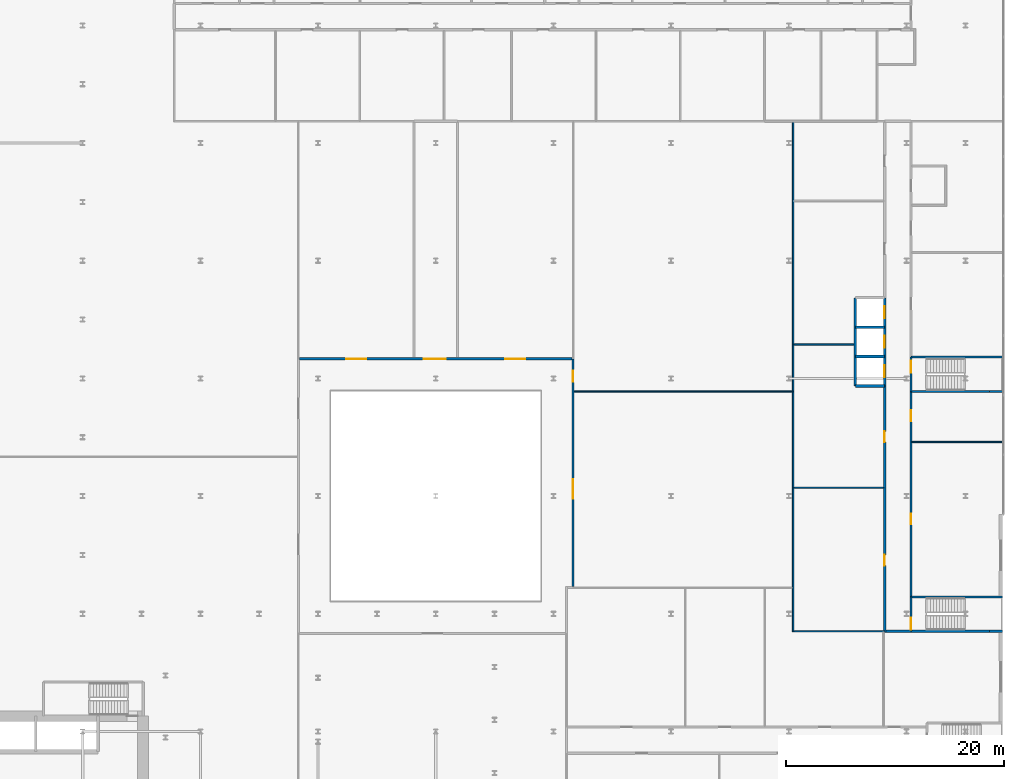
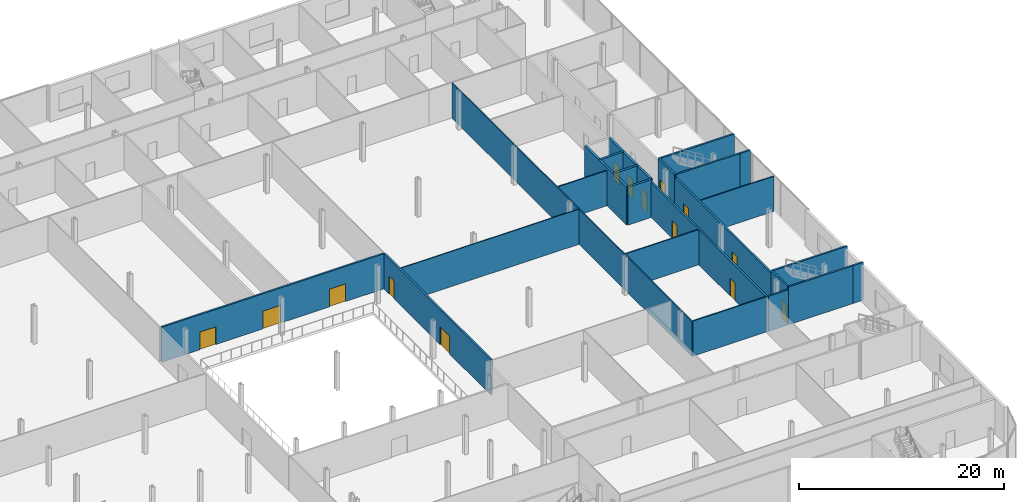
# One storey, part 33 of 47: 24 walls, 14 doors, 14 openings.
"""IFC4 building model written with IfcOpenShell, lengths in metres."""

from ifc_helpers import new_model, si_unit, direction, frame, frame_2d, origin, place, context, subcontext, project, spatial, rectangle, extrude, source, transform, mapped, material, layer, layer_set, type_object, element, fill, save


model = new_model("IFC4")

# Units and contexts
model_context = context("Model", 3, precision=1e-05, world=origin(), true_north=direction((0.0, 1.0)))
body_context = subcontext(model_context, "Body", "Model", "MODEL_VIEW")
ifc_project = project(units=[si_unit("LENGTHUNIT", "METRE"), si_unit("AREAUNIT", "SQUARE_METRE"), si_unit("VOLUMEUNIT", "CUBIC_METRE"), si_unit("PLANEANGLEUNIT", "RADIAN"), si_unit("MASSUNIT", "GRAM", prefix="KILO")], contexts=[model_context])

# Site, building, storey
site_placement = place(None, origin())
site = spatial("IfcSite", under=ifc_project, at=site_placement, CompositionType="ELEMENT")
building_placement = place(site_placement, origin())
building = spatial("IfcBuilding", under=site, at=building_placement, Name="Kheshtan School and Residences Tower", CompositionType="ELEMENT")
storey_placement = place(building_placement, frame((0.0, 0.0, 12.5)))
storey = spatial("IfcBuildingStorey", under=building, at=storey_placement, Name="L02", CompositionType="ELEMENT", Elevation=12.5)

# Walls
ifc_material_1 = material(Name="Gypsum board on steel studs with mineral wool", Category="steel")
ifc_layer_1 = layer(ifc_material_1, 0.125)
ifc_layer_set_1 = layer_set([ifc_layer_1], Name="Acoustic partition 125")
wall_type_1 = type_object("IfcWallType", Name="Acoustic partition 125", PredefinedType="PARTITIONING", material=ifc_layer_set_1)
wall_1_placement = place(storey_placement, frame((112.800048828125, 43.93798828125, 0.0), z_axis=(0.0, 0.0, 1.0), x_axis=(0.0, 1.0, 0.0)))
element("IfcWall", 1, at=wall_1_placement, inside=storey, type_object=wall_type_1, Name="Partition L02-068", PredefinedType="PARTITIONING", context=body_context, shape_type="SweptSolid", body=[
    extrude(rectangle(XDim=46.787109375, YDim=0.125, at=frame_2d((23.3935546875, 0.0))), origin(), (0.0, 0.0, 1.0), 4.179931640625),
])
wall_2_placement = place(storey_placement, frame((112.862060546875, 44.0, 0.0), z_axis=(0.0, 0.0, 1.0), x_axis=(1.0, 0.0, 0.0)))
element("IfcWall", 2, at=wall_2_placement, inside=storey, type_object=wall_type_1, Name="Partition L02-069", PredefinedType="PARTITIONING", context=body_context, shape_type="SweptSolid", body=[
    extrude(rectangle(XDim=8.279052734375, YDim=0.125, at=frame_2d((4.1396484375, 0.0))), origin(), (0.0, 0.0, 1.0), 4.179931640625),
])
wall_3_placement = place(storey_placement, frame((112.862060546875, 57.162109375, 0.0), z_axis=(0.0, 0.0, 1.0), x_axis=(1.0, 0.0, 0.0)))
element("IfcWall", 3, at=wall_3_placement, inside=storey, type_object=wall_type_1, Name="Partition L02-070", PredefinedType="PARTITIONING", context=body_context, shape_type="SweptSolid", body=[
    extrude(rectangle(XDim=8.238037109375, YDim=0.125, at=frame_2d((4.119140625, 0.0))), origin(), (0.0, 0.0, 1.0), 4.179931640625),
])
wall_4_placement = place(storey_placement, frame((112.862060546875, 70.324951171875, 0.0), z_axis=(0.0, 0.0, 1.0), x_axis=(1.0, 0.0, 0.0)))
element("IfcWall", 4, at=wall_4_placement, inside=storey, type_object=wall_type_1, Name="Partition L02-071", PredefinedType="PARTITIONING", context=body_context, shape_type="SweptSolid", body=[
    extrude(rectangle(XDim=5.513916015625, YDim=0.125, at=frame_2d((2.7568359375, 0.0))), origin(), (0.0, 0.0, 1.0), 4.179931640625),
])
wall_5_placement = place(storey_placement, frame((123.699951171875, 61.368896484375, 0.0), z_axis=(0.0, 0.0, 1.0), x_axis=(1.0, 0.0, 0.0)))
element("IfcWall", 5, at=wall_5_placement, inside=storey, type_object=wall_type_1, Name="Partition L02-091", PredefinedType="PARTITIONING", context=body_context, shape_type="SweptSolid", body=[
    extrude(rectangle(XDim=8.300048828125, YDim=0.125, at=frame_2d((4.14990234375, 0.0))), origin(), (0.0, 0.0, 1.0), 4.179931640625),
])

# Wall, openings, doors
ifc_material_2 = material(Name="Gypsum board on steel studs with fire boards", Category="steel")
ifc_layer_2 = layer(ifc_material_2, 0.199951171875)
ifc_layer_set_2 = layer_set([ifc_layer_2], Name="Corridor wall 200")
wall_type_2 = type_object("IfcWallType", Name="Corridor wall 200", PredefinedType="PARTITIONING", material=ifc_layer_set_2)
wall_6_placement = place(storey_placement, frame((67.5, 69.0, 0.0), z_axis=(0.0, 0.0, 1.0), x_axis=(1.0, 0.0, 0.0)))
wall_6 = element("IfcWall", 6, at=wall_6_placement, inside=storey, type_object=wall_type_2, Name="Partition L02-033", PredefinedType="PARTITIONING", context=body_context, shape_type="SweptSolid", body=[
    extrude(rectangle(XDim=25.0, YDim=0.199951171875, at=frame_2d((12.5, 0.0))), origin(), (0.0, 0.0, 1.0), 4.179931640625),
])
opening_1_placement = place(wall_6_placement, frame((11.39990234375, 0.0, 0.0)))
opening_1 = element("IfcOpeningElement", 7, at=opening_1_placement, cuts=wall_6, Name="Opening D02-012", PredefinedType="OPENING", context=body_context, shape_type="SweptSolid", body=[
    extrude(rectangle(XDim=2.0, YDim=2.10009765625, at=frame_2d((1.0, 1.050048828125))), frame((0.0, 0.10986328125, 0.0), z_axis=(0.0, -1.0, 0.0), x_axis=(1.0, 0.0, 0.0)), (0.0, 0.0, 1.0), 0.219970703125),
])
opening_2_placement = place(wall_6_placement, frame((4.300048828125, 0.0, 0.0)))
opening_2 = element("IfcOpeningElement", 8, at=opening_2_placement, cuts=wall_6, Name="Opening D02-032", PredefinedType="OPENING", context=body_context, shape_type="SweptSolid", body=[
    extrude(rectangle(XDim=1.800048828125, YDim=2.10009765625, at=frame_2d((0.89990234375, 1.050048828125))), frame((0.0, 0.10986328125, 0.0), z_axis=(0.0, -1.0, 0.0), x_axis=(1.0, 0.0, 0.0)), (0.0, 0.0, 1.0), 0.219970703125),
])
opening_3_placement = place(wall_6_placement, frame((18.89990234375, 0.0, 0.0)))
opening_3 = element("IfcOpeningElement", 9, at=opening_3_placement, cuts=wall_6, Name="Opening D02-033", PredefinedType="OPENING", context=body_context, shape_type="SweptSolid", body=[
    extrude(rectangle(XDim=1.800048828125, YDim=2.10009765625, at=frame_2d((0.89990234375, 1.050048828125))), frame((0.0, 0.10986328125, 0.0), z_axis=(0.0, -1.0, 0.0), x_axis=(1.0, 0.0, 0.0)), (0.0, 0.0, 1.0), 0.219970703125),
])
ifc_material_3 = material(Name="Steel-framed fire-resisting door leaf", Category="steel")
door_type_1 = type_object("IfcDoorType", Name="Fire double door FD60 1800 x 2100", OperationType="DOUBLE_DOOR_SINGLE_SWING", PredefinedType="DOOR", material=ifc_material_3)
shared_shape_1 = source(origin(), body_context, "Body", "SweptSolid", [
    extrude(rectangle(XDim=1.800048828125, YDim=2.10009765625, at=frame_2d((0.89990234375, 1.050048828125))), frame((0.0, 0.02490234375, 0.0), z_axis=(0.0, -1.0, 0.0), x_axis=(1.0, 0.0, 0.0)), (0.0, 0.0, 1.0), 0.050048828125),
])
door_1_placement = place(opening_2_placement, origin())
door_1 = element("IfcDoor", 10, at=door_1_placement, inside=storey, type_object=door_type_1, Name="Door D02-032", OperationType="DOUBLE_DOOR_SINGLE_SWING", OverallHeight=2.10009765625, OverallWidth=1.800048828125, PredefinedType="DOOR", context=body_context, shape_type="MappedRepresentation", body=[
    mapped(shared_shape_1, transform((0.0, 0.0, 0.0), x_axis=(1.0, 0.0, 0.0), y_axis=(0.0, 1.0, 0.0), z_axis=(0.0, 0.0, 1.0), scale=1.0)),
])
fill(opening_2, door_1)
door_2_placement = place(opening_3_placement, origin())
door_2 = element("IfcDoor", 11, at=door_2_placement, inside=storey, type_object=door_type_1, Name="Door D02-033", OperationType="DOUBLE_DOOR_SINGLE_SWING", OverallHeight=2.10009765625, OverallWidth=1.800048828125, PredefinedType="DOOR", context=body_context, shape_type="MappedRepresentation", body=[
    mapped(shared_shape_1, transform((0.0, 0.0, 0.0), x_axis=(1.0, 0.0, 0.0), y_axis=(0.0, 1.0, 0.0), z_axis=(0.0, 0.0, 1.0), scale=1.0)),
])
fill(opening_3, door_2)
door_type_2 = type_object("IfcDoorType", Name="Fire double door FD60 2000 x 2100", OperationType="DOUBLE_DOOR_SINGLE_SWING", PredefinedType="DOOR", material=ifc_material_3)
shared_shape_2 = source(origin(), body_context, "Body", "SweptSolid", [
    extrude(rectangle(XDim=2.0, YDim=2.10009765625, at=frame_2d((1.0, 1.050048828125))), frame((0.0, 0.02490234375, 0.0), z_axis=(0.0, -1.0, 0.0), x_axis=(1.0, 0.0, 0.0)), (0.0, 0.0, 1.0), 0.050048828125),
])
door_3_placement = place(opening_1_placement, origin())
door_3 = element("IfcDoor", 12, at=door_3_placement, inside=storey, type_object=door_type_2, Name="Door D02-012", OperationType="DOUBLE_DOOR_SINGLE_SWING", OverallHeight=2.10009765625, OverallWidth=2.0, PredefinedType="DOOR", context=body_context, shape_type="MappedRepresentation", body=[
    mapped(shared_shape_2, transform((0.0, 0.0, 0.0), x_axis=(1.0, 0.0, 0.0), y_axis=(0.0, 1.0, 0.0), z_axis=(0.0, 0.0, 1.0), scale=1.0)),
])
fill(opening_1, door_3)

wall_7_placement = place(storey_placement, frame((92.60009765625, 48.10009765625, 0.0), z_axis=(0.0, 0.0, 1.0), x_axis=(0.0, 1.0, 0.0)))
wall_7 = element("IfcWall", 13, at=wall_7_placement, inside=storey, type_object=wall_type_2, Name="Partition L02-054", PredefinedType="PARTITIONING", context=body_context, shape_type="SweptSolid", body=[
    extrude(rectangle(XDim=20.89990234375, YDim=0.199951171875, at=frame_2d((10.449951171875, 0.0))), origin(), (0.0, 0.0, 1.0), 4.179931640625),
])
opening_4_placement = place(wall_7_placement, frame((8.050048828125, 0.0, 0.0)))
opening_4 = element("IfcOpeningElement", 14, at=opening_4_placement, cuts=wall_7, Name="Opening D02-010", PredefinedType="OPENING", context=body_context, shape_type="SweptSolid", body=[
    extrude(rectangle(XDim=1.800048828125, YDim=2.10009765625, at=frame_2d((0.89990234375, 1.050048828125))), frame((0.0, 0.10986328125, 0.0), z_axis=(0.0, -1.0, 0.0), x_axis=(1.0, 0.0, 0.0)), (0.0, 0.0, 1.0), 0.219970703125),
])
opening_5_placement = place(wall_7_placement, frame((18.800048828125, 0.0, 0.0)))
opening_5 = element("IfcOpeningElement", 15, at=opening_5_placement, cuts=wall_7, Name="Opening D02-011", PredefinedType="OPENING", context=body_context, shape_type="SweptSolid", body=[
    extrude(rectangle(XDim=1.0, YDim=2.10009765625, at=frame_2d((0.5, 1.050048828125))), frame((0.0, 0.10986328125, 0.0), z_axis=(0.0, -1.0, 0.0), x_axis=(1.0, 0.0, 0.0)), (0.0, 0.0, 1.0), 0.219970703125),
])
door_4_placement = place(opening_4_placement, origin())
door_4 = element("IfcDoor", 16, at=door_4_placement, inside=storey, type_object=door_type_1, Name="Door D02-010", OperationType="DOUBLE_DOOR_SINGLE_SWING", OverallHeight=2.10009765625, OverallWidth=1.800048828125, PredefinedType="DOOR", context=body_context, shape_type="MappedRepresentation", body=[
    mapped(shared_shape_1, transform((0.0, 0.0, 0.0), x_axis=(1.0, 0.0, 0.0), y_axis=(0.0, 1.0, 0.0), z_axis=(0.0, 0.0, 1.0), scale=1.0)),
])
fill(opening_4, door_4)
door_type_3 = type_object("IfcDoorType", Name="Fire door FD60 1000 x 2100", OperationType="SINGLE_SWING_LEFT", PredefinedType="DOOR", material=ifc_material_3)
shared_shape_3 = source(origin(), body_context, "Body", "SweptSolid", [
    extrude(rectangle(XDim=1.0, YDim=2.10009765625, at=frame_2d((0.5, 1.050048828125))), frame((0.0, 0.02490234375, 0.0), z_axis=(0.0, -1.0, 0.0), x_axis=(1.0, 0.0, 0.0)), (0.0, 0.0, 1.0), 0.050048828125),
])
door_5_placement = place(opening_5_placement, origin())
door_5 = element("IfcDoor", 17, at=door_5_placement, inside=storey, type_object=door_type_3, Name="Door D02-011", OperationType="SINGLE_SWING_RIGHT", OverallHeight=2.10009765625, OverallWidth=1.0, PredefinedType="DOOR", context=body_context, shape_type="MappedRepresentation", body=[
    mapped(shared_shape_3, transform((0.0, 0.0, 0.0), x_axis=(1.0, 0.0, 0.0), y_axis=(0.0, 1.0, 0.0), z_axis=(0.0, 0.0, 1.0), scale=1.0)),
])
fill(opening_5, door_5)

wall_8_placement = place(storey_placement, frame((121.199951171875, 43.89990234375, 0.0), z_axis=(0.0, 0.0, 1.0), x_axis=(0.0, 1.0, 0.0)))
wall_8 = element("IfcWall", 18, at=wall_8_placement, inside=storey, type_object=wall_type_2, Name="Partition L02-081", PredefinedType="PARTITIONING", context=body_context, shape_type="SweptSolid", body=[
    extrude(rectangle(XDim=22.60009765625, YDim=0.199951171875, at=frame_2d((11.300048828125, 0.0))), origin(), (0.0, 0.0, 1.0), 4.179931640625),
])
opening_6_placement = place(wall_8_placement, frame((6.112060546875, 0.0, 0.0)))
opening_6 = element("IfcOpeningElement", 19, at=opening_6_placement, cuts=wall_8, Name="Opening D02-001", PredefinedType="OPENING", context=body_context, shape_type="SweptSolid", body=[
    extrude(rectangle(XDim=1.0, YDim=2.10009765625, at=frame_2d((0.5, 1.050048828125))), frame((0.0, 0.10986328125, 0.0), z_axis=(0.0, -1.0, 0.0), x_axis=(1.0, 0.0, 0.0)), (0.0, 0.0, 1.0), 0.219970703125),
])
opening_7_placement = place(wall_8_placement, frame((17.449951171875, 0.0, 0.0)))
opening_7 = element("IfcOpeningElement", 20, at=opening_7_placement, cuts=wall_8, Name="Opening D02-002", PredefinedType="OPENING", context=body_context, shape_type="SweptSolid", body=[
    extrude(rectangle(XDim=1.0, YDim=2.10009765625, at=frame_2d((0.5, 1.050048828125))), frame((0.0, 0.10986328125, 0.0), z_axis=(0.0, -1.0, 0.0), x_axis=(1.0, 0.0, 0.0)), (0.0, 0.0, 1.0), 0.219970703125),
])
door_6_placement = place(opening_6_placement, origin())
door_6 = element("IfcDoor", 21, at=door_6_placement, inside=storey, type_object=door_type_3, Name="Door D02-001", OperationType="SINGLE_SWING_RIGHT", OverallHeight=2.10009765625, OverallWidth=1.0, PredefinedType="DOOR", context=body_context, shape_type="MappedRepresentation", body=[
    mapped(shared_shape_3, transform((0.0, 0.0, 0.0), x_axis=(1.0, 0.0, 0.0), y_axis=(0.0, 1.0, 0.0), z_axis=(0.0, 0.0, 1.0), scale=1.0)),
])
fill(opening_6, door_6)
door_7_placement = place(opening_7_placement, origin())
door_7 = element("IfcDoor", 22, at=door_7_placement, inside=storey, type_object=door_type_3, Name="Door D02-002", OperationType="SINGLE_SWING_LEFT", OverallHeight=2.10009765625, OverallWidth=1.0, PredefinedType="DOOR", context=body_context, shape_type="MappedRepresentation", body=[
    mapped(shared_shape_3, transform((0.0, 0.0, 0.0), x_axis=(1.0, 0.0, 0.0), y_axis=(0.0, 1.0, 0.0), z_axis=(0.0, 0.0, 1.0), scale=1.0)),
])
fill(opening_7, door_7)

# Wall
wall_9_placement = place(storey_placement, frame((121.300048828125, 44.0, 0.0), z_axis=(0.0, 0.0, 1.0), x_axis=(1.0, 0.0, 0.0)))
element("IfcWall", 23, at=wall_9_placement, inside=storey, type_object=wall_type_2, Name="Partition L02-084", PredefinedType="PARTITIONING", context=body_context, shape_type="SweptSolid", body=[
    extrude(rectangle(XDim=2.300048828125, YDim=0.199951171875, at=frame_2d((1.14990234375, 0.0))), origin(), (0.0, 0.0, 1.0), 4.179931640625),
])

# Wall, openings, doors
wall_10_placement = place(storey_placement, frame((123.60009765625, 47.14990234375, 0.0), z_axis=(0.0, 0.0, 1.0), x_axis=(0.0, 1.0, 0.0)))
wall_10 = element("IfcWall", 24, at=wall_10_placement, inside=storey, type_object=wall_type_2, Name="Partition L02-085", PredefinedType="PARTITIONING", context=body_context, shape_type="SweptSolid", body=[
    extrude(rectangle(XDim=18.85009765625, YDim=0.199951171875, at=frame_2d((9.425048828125, 0.0))), origin(), (0.0, 0.0, 1.0), 4.179931640625),
])
opening_8_placement = place(wall_10_placement, frame((6.64990234375, 0.0, 0.0)))
opening_8 = element("IfcOpeningElement", 25, at=opening_8_placement, cuts=wall_10, Name="Opening D02-005", PredefinedType="OPENING", context=body_context, shape_type="SweptSolid", body=[
    extrude(rectangle(XDim=1.0, YDim=2.10009765625, at=frame_2d((0.5, 1.050048828125))), frame((0.0, 0.10986328125, 0.0), z_axis=(0.0, -1.0, 0.0), x_axis=(1.0, 0.0, 0.0)), (0.0, 0.0, 1.0), 0.219970703125),
])
opening_9_placement = place(wall_10_placement, frame((16.118896484375, 0.0, 0.0)))
opening_9 = element("IfcOpeningElement", 26, at=opening_9_placement, cuts=wall_10, Name="Opening D02-006", PredefinedType="OPENING", context=body_context, shape_type="SweptSolid", body=[
    extrude(rectangle(XDim=1.0, YDim=2.10009765625, at=frame_2d((0.5, 1.050048828125))), frame((0.0, 0.10986328125, 0.0), z_axis=(0.0, -1.0, 0.0), x_axis=(1.0, 0.0, 0.0)), (0.0, 0.0, 1.0), 0.219970703125),
])
door_8_placement = place(opening_8_placement, origin())
door_8 = element("IfcDoor", 27, at=door_8_placement, inside=storey, type_object=door_type_3, Name="Door D02-005", OperationType="SINGLE_SWING_RIGHT", OverallHeight=2.10009765625, OverallWidth=1.0, PredefinedType="DOOR", context=body_context, shape_type="MappedRepresentation", body=[
    mapped(shared_shape_3, transform((0.0, 0.0, 0.0), x_axis=(1.0, 0.0, 0.0), y_axis=(0.0, 1.0, 0.0), z_axis=(0.0, 0.0, 1.0), scale=1.0)),
])
fill(opening_8, door_8)
door_9_placement = place(opening_9_placement, origin())
door_9 = element("IfcDoor", 28, at=door_9_placement, inside=storey, type_object=door_type_3, Name="Door D02-006", OperationType="SINGLE_SWING_RIGHT", OverallHeight=2.10009765625, OverallWidth=1.0, PredefinedType="DOOR", context=body_context, shape_type="MappedRepresentation", body=[
    mapped(shared_shape_3, transform((0.0, 0.0, 0.0), x_axis=(1.0, 0.0, 0.0), y_axis=(0.0, 1.0, 0.0), z_axis=(0.0, 0.0, 1.0), scale=1.0)),
])
fill(opening_9, door_9)

# Walls
ifc_material_4 = material(Name="Gypsum board on steel studs", Category="steel")
ifc_layer_3 = layer(ifc_material_4, 0.10009765625)
ifc_layer_set_3 = layer_set([ifc_layer_3], Name="Gypsum partition 100")
wall_type_3 = type_object("IfcWallType", Name="Gypsum partition 100", PredefinedType="PARTITIONING", material=ifc_layer_set_3)
wall_11_placement = place(storey_placement, frame((92.699951171875, 66.0, 0.0), z_axis=(0.0, 0.0, 1.0), x_axis=(1.0, 0.0, 0.0)))
element("IfcWall", 29, at=wall_11_placement, inside=storey, type_object=wall_type_3, Name="Partition L02-056", PredefinedType="PARTITIONING", context=body_context, shape_type="SweptSolid", body=[
    extrude(rectangle(XDim=20.0380859375, YDim=0.10009765625, at=frame_2d((10.01904296875, 0.0))), origin(), (0.0, 0.0, 1.0), 4.179931640625),
])
ifc_material_5 = material(Name="Fire-board shaft wall system")
ifc_layer_4 = layer(ifc_material_5, 0.25)
ifc_layer_set_4 = layer_set([ifc_layer_4], Name="Shaft lining wall 250")
wall_type_4 = type_object("IfcWallType", Name="Shaft lining wall 250", PredefinedType="PARTITIONING", material=ifc_layer_set_4)
wall_12_placement = place(storey_placement, frame((118.5, 66.5, 0.0), z_axis=(0.0, 0.0, 1.0), x_axis=(0.0, 1.0, 0.0)))
element("IfcWall", 30, at=wall_12_placement, inside=storey, type_object=wall_type_4, Name="Shaft lining wall", PredefinedType="PARTITIONING", context=body_context, shape_type="SweptSolid", body=[
    extrude(rectangle(XDim=8.10009765625, YDim=0.25, at=frame_2d((4.050048828125, 0.0))), origin(), (0.0, 0.0, 1.0), 4.5),
])

# Wall, openings, doors
wall_13_placement = place(storey_placement, frame((121.199951171875, 66.5, 0.0), z_axis=(0.0, 0.0, 1.0), x_axis=(0.0, 1.0, 0.0)))
wall_13 = element("IfcWall", 31, at=wall_13_placement, inside=storey, type_object=wall_type_4, Name="Shaft lining wall", PredefinedType="PARTITIONING", context=body_context, shape_type="SweptSolid", body=[
    extrude(rectangle(XDim=8.10009765625, YDim=0.25, at=frame_2d((4.050048828125, 0.0))), origin(), (0.0, 0.0, 1.0), 4.5),
])
opening_10_placement = place(wall_13_placement, frame((0.800048828125, 0.0, 0.0)))
opening_10 = element("IfcOpeningElement", 32, at=opening_10_placement, cuts=wall_13, Name="Opening LD", PredefinedType="OPENING", context=body_context, shape_type="SweptSolid", body=[
    extrude(rectangle(XDim=1.10009765625, YDim=2.199951171875, at=frame_2d((0.550048828125, 1.10009765625))), frame((0.0, 0.135009765625, 0.0), z_axis=(0.0, -1.0, 0.0), x_axis=(1.0, 0.0, 0.0)), (0.0, 0.0, 1.0), 0.27001953125),
])
opening_11_placement = place(wall_13_placement, frame((3.5, 0.0, 0.0)))
opening_11 = element("IfcOpeningElement", 33, at=opening_11_placement, cuts=wall_13, Name="Opening LD", PredefinedType="OPENING", context=body_context, shape_type="SweptSolid", body=[
    extrude(rectangle(XDim=1.10009765625, YDim=2.199951171875, at=frame_2d((0.550048828125, 1.10009765625))), frame((0.0, 0.135009765625, 0.0), z_axis=(0.0, -1.0, 0.0), x_axis=(1.0, 0.0, 0.0)), (0.0, 0.0, 1.0), 0.27001953125),
])
opening_12_placement = place(wall_13_placement, frame((6.199951171875, 0.0, 0.0)))
opening_12 = element("IfcOpeningElement", 34, at=opening_12_placement, cuts=wall_13, Name="Opening LD", PredefinedType="OPENING", context=body_context, shape_type="SweptSolid", body=[
    extrude(rectangle(XDim=1.10009765625, YDim=2.199951171875, at=frame_2d((0.550048828125, 1.10009765625))), frame((0.0, 0.135009765625, 0.0), z_axis=(0.0, -1.0, 0.0), x_axis=(1.0, 0.0, 0.0)), (0.0, 0.0, 1.0), 0.27001953125),
])
ifc_material_6 = material(Name="Stainless steel door leaves", Category="steel")
door_type_4 = type_object("IfcDoorType", Name="Lift landing door 1100", OperationType="SLIDING_TO_LEFT", PredefinedType="DOOR", material=ifc_material_6)
shared_shape_4 = source(origin(), body_context, "Body", "SweptSolid", [
    extrude(rectangle(XDim=1.10009765625, YDim=2.199951171875, at=frame_2d((0.550048828125, 1.10009765625))), frame((0.0, 0.02490234375, 0.0), z_axis=(0.0, -1.0, 0.0), x_axis=(1.0, 0.0, 0.0)), (0.0, 0.0, 1.0), 0.050048828125),
])
door_10_placement = place(opening_10_placement, origin())
door_10 = element("IfcDoor", 35, at=door_10_placement, inside=storey, type_object=door_type_4, Name="Lift SCL1 landing door", OperationType="SLIDING_TO_LEFT", OverallHeight=2.199951171875, OverallWidth=1.10009765625, PredefinedType="DOOR", context=body_context, shape_type="MappedRepresentation", body=[
    mapped(shared_shape_4, transform((0.0, 0.0, 0.0), x_axis=(1.0, 0.0, 0.0), y_axis=(0.0, 1.0, 0.0), z_axis=(0.0, 0.0, 1.0), scale=1.0)),
])
fill(opening_10, door_10)
door_11_placement = place(opening_11_placement, origin())
door_11 = element("IfcDoor", 36, at=door_11_placement, inside=storey, type_object=door_type_4, Name="Lift SCL2 landing door", OperationType="SLIDING_TO_LEFT", OverallHeight=2.199951171875, OverallWidth=1.10009765625, PredefinedType="DOOR", context=body_context, shape_type="MappedRepresentation", body=[
    mapped(shared_shape_4, transform((0.0, 0.0, 0.0), x_axis=(1.0, 0.0, 0.0), y_axis=(0.0, 1.0, 0.0), z_axis=(0.0, 0.0, 1.0), scale=1.0)),
])
fill(opening_11, door_11)
door_12_placement = place(opening_12_placement, origin())
door_12 = element("IfcDoor", 37, at=door_12_placement, inside=storey, type_object=door_type_4, Name="Lift SCL3 landing door", OperationType="SLIDING_TO_LEFT", OverallHeight=2.199951171875, OverallWidth=1.10009765625, PredefinedType="DOOR", context=body_context, shape_type="MappedRepresentation", body=[
    mapped(shared_shape_4, transform((0.0, 0.0, 0.0), x_axis=(1.0, 0.0, 0.0), y_axis=(0.0, 1.0, 0.0), z_axis=(0.0, 0.0, 1.0), scale=1.0)),
])
fill(opening_12, door_12)

# Walls
for number, where, z_axis, x_axis, name in (
    (38, (118.5, 66.5, 0.0), (0.0, 0.0, 1.0), (1.0, 0.0, 0.0), "Shaft lining wall"),
    (39, (118.5, 69.199951171875, 0.0), (0.0, 0.0, 1.0), (1.0, 0.0, 0.0), "Shaft lining wall"),
    (40, (118.5, 71.89990234375, 0.0), (0.0, 0.0, 1.0), (1.0, 0.0, 0.0), "Shaft lining wall"),
):
    element("IfcWall", number, at=place(storey_placement, frame(where, z_axis=z_axis, x_axis=x_axis)), inside=storey, type_object=wall_type_4, Name=name, PredefinedType="PARTITIONING", context=body_context, shape_type="SweptSolid", body=[
        extrude(rectangle(XDim=2.699951171875, YDim=0.25, at=frame_2d((1.35009765625, 0.0))), origin(), (0.0, 0.0, 1.0), 4.5),
    ])
ifc_material_7 = material(Name="Concrete C40/50", Category="concrete")
ifc_layer_5 = layer(ifc_material_7, 0.199951171875)
ifc_layer_set_5 = layer_set([ifc_layer_5], Name="Stair enclosure wall 200 Concrete C40/50")
wall_type_5 = type_object("IfcWallType", Name="Stair enclosure wall 200 Concrete C40/50", PredefinedType="SHEAR", material=ifc_layer_set_5)
wall_14_placement = place(storey_placement, frame((123.60009765625, 44.0, 0.0), z_axis=(0.0, 0.0, 1.0), x_axis=(1.0, 0.0, 0.0)))
element("IfcWall", 41, at=wall_14_placement, inside=storey, type_object=wall_type_5, Name="Stair enclosure wall", PredefinedType="SHEAR", context=body_context, shape_type="SweptSolid", body=[
    extrude(rectangle(XDim=7.199951171875, YDim=0.199951171875, at=frame_2d((3.60009765625, 0.0))), origin(), (0.0, 0.0, 1.0), 4.5),
])
wall_15_placement = place(storey_placement, frame((130.800048828125, 44.0, 0.0), z_axis=(0.0, 0.0, 1.0), x_axis=(1.0, 0.0, 0.0)))
element("IfcWall", 42, at=wall_15_placement, inside=storey, type_object=wall_type_5, Name="Stair enclosure wall", PredefinedType="SHEAR", context=body_context, shape_type="SweptSolid", body=[
    extrude(rectangle(XDim=1.199951171875, YDim=0.199951171875, at=frame_2d((0.60009765625, 0.0))), origin(), (0.0, 0.0, 1.0), 4.5),
])
wall_16_placement = place(storey_placement, frame((123.60009765625, 47.14990234375, 0.0), z_axis=(0.0, 0.0, 1.0), x_axis=(1.0, 0.0, 0.0)))
element("IfcWall", 43, at=wall_16_placement, inside=storey, type_object=wall_type_5, Name="Stair enclosure wall", PredefinedType="SHEAR", context=body_context, shape_type="SweptSolid", body=[
    extrude(rectangle(XDim=8.39990234375, YDim=0.199951171875, at=frame_2d((4.199951171875, 0.0))), origin(), (0.0, 0.0, 1.0), 4.5),
])

# Wall, opening, door
wall_17_placement = place(storey_placement, frame((123.60009765625, 44.0, 0.0), z_axis=(0.0, 0.0, 1.0), x_axis=(0.0, 1.0, 0.0)))
wall_17 = element("IfcWall", 44, at=wall_17_placement, inside=storey, type_object=wall_type_5, Name="Stair enclosure wall", PredefinedType="SHEAR", context=body_context, shape_type="SweptSolid", body=[
    extrude(rectangle(XDim=3.14990234375, YDim=0.199951171875, at=frame_2d((1.574951171875, 0.0))), origin(), (0.0, 0.0, 1.0), 4.5),
])
opening_13_placement = place(wall_17_placement, frame((0.14990234375, 0.0, 0.0)))
opening_13 = element("IfcOpeningElement", 45, at=opening_13_placement, cuts=wall_17, Name="Opening SD90", PredefinedType="OPENING", context=body_context, shape_type="SweptSolid", body=[
    extrude(rectangle(XDim=1.10009765625, YDim=2.199951171875, at=frame_2d((0.550048828125, 1.10009765625))), frame((0.0, 0.10986328125, 0.0), z_axis=(0.0, -1.0, 0.0), x_axis=(1.0, 0.0, 0.0)), (0.0, 0.0, 1.0), 0.219970703125),
])
ifc_material_8 = material(Name="Steel door leaf, galvanised", Category="steel")
door_type_5 = type_object("IfcDoorType", Name="Stair door 1100 steel 90 min", OperationType="SINGLE_SWING_LEFT", PredefinedType="DOOR", material=ifc_material_8)
shared_shape_5 = source(origin(), body_context, "Body", "SweptSolid", [
    extrude(rectangle(XDim=1.10009765625, YDim=2.199951171875, at=frame_2d((0.550048828125, 1.10009765625))), frame((0.0, 0.02490234375, 0.0), z_axis=(0.0, -1.0, 0.0), x_axis=(1.0, 0.0, 0.0)), (0.0, 0.0, 1.0), 0.050048828125),
])
door_13_placement = place(opening_13_placement, origin())
door_13 = element("IfcDoor", 46, at=door_13_placement, inside=storey, type_object=door_type_5, Name="Stair door", OperationType="SINGLE_SWING_RIGHT", OverallHeight=2.199951171875, OverallWidth=1.10009765625, PredefinedType="DOOR", context=body_context, shape_type="MappedRepresentation", body=[
    mapped(shared_shape_5, transform((0.0, 0.0, 0.0), x_axis=(1.0, 0.0, 0.0), y_axis=(0.0, 1.0, 0.0), z_axis=(0.0, 0.0, 1.0), scale=1.0)),
])
fill(opening_13, door_13)

# Walls
wall_18_placement = place(storey_placement, frame((123.60009765625, 66.0, 0.0), z_axis=(0.0, 0.0, 1.0), x_axis=(1.0, 0.0, 0.0)))
element("IfcWall", 47, at=wall_18_placement, inside=storey, type_object=wall_type_5, Name="Stair enclosure wall", PredefinedType="SHEAR", context=body_context, shape_type="SweptSolid", body=[
    extrude(rectangle(XDim=7.199951171875, YDim=0.199951171875, at=frame_2d((3.60009765625, 0.0))), origin(), (0.0, 0.0, 1.0), 4.5),
])
wall_19_placement = place(storey_placement, frame((130.800048828125, 66.0, 0.0), z_axis=(0.0, 0.0, 1.0), x_axis=(1.0, 0.0, 0.0)))
element("IfcWall", 48, at=wall_19_placement, inside=storey, type_object=wall_type_5, Name="Stair enclosure wall", PredefinedType="SHEAR", context=body_context, shape_type="SweptSolid", body=[
    extrude(rectangle(XDim=1.199951171875, YDim=0.199951171875, at=frame_2d((0.60009765625, 0.0))), origin(), (0.0, 0.0, 1.0), 4.5),
])
wall_20_placement = place(storey_placement, frame((123.60009765625, 69.14990234375, 0.0), z_axis=(0.0, 0.0, 1.0), x_axis=(1.0, 0.0, 0.0)))
element("IfcWall", 49, at=wall_20_placement, inside=storey, type_object=wall_type_5, Name="Stair enclosure wall", PredefinedType="SHEAR", context=body_context, shape_type="SweptSolid", body=[
    extrude(rectangle(XDim=8.39990234375, YDim=0.199951171875, at=frame_2d((4.199951171875, 0.0))), origin(), (0.0, 0.0, 1.0), 4.5),
])

# Wall, opening, door
wall_21_placement = place(storey_placement, frame((123.60009765625, 66.0, 0.0), z_axis=(0.0, 0.0, 1.0), x_axis=(0.0, 1.0, 0.0)))
wall_21 = element("IfcWall", 50, at=wall_21_placement, inside=storey, type_object=wall_type_5, Name="Stair enclosure wall", PredefinedType="SHEAR", context=body_context, shape_type="SweptSolid", body=[
    extrude(rectangle(XDim=3.14990234375, YDim=0.199951171875, at=frame_2d((1.574951171875, 0.0))), origin(), (0.0, 0.0, 1.0), 4.5),
])
opening_14_placement = place(wall_21_placement, frame((1.699951171875, 0.0, 0.0)))
opening_14 = element("IfcOpeningElement", 51, at=opening_14_placement, cuts=wall_21, Name="Opening SD90", PredefinedType="OPENING", context=body_context, shape_type="SweptSolid", body=[
    extrude(rectangle(XDim=1.10009765625, YDim=2.199951171875, at=frame_2d((0.550048828125, 1.10009765625))), frame((0.0, 0.10986328125, 0.0), z_axis=(0.0, -1.0, 0.0), x_axis=(1.0, 0.0, 0.0)), (0.0, 0.0, 1.0), 0.219970703125),
])
door_14_placement = place(opening_14_placement, origin())
door_14 = element("IfcDoor", 52, at=door_14_placement, inside=storey, type_object=door_type_5, Name="Stair door", OperationType="SINGLE_SWING_LEFT", OverallHeight=2.199951171875, OverallWidth=1.10009765625, PredefinedType="DOOR", context=body_context, shape_type="MappedRepresentation", body=[
    mapped(shared_shape_5, transform((0.0, 0.0, 0.0), x_axis=(1.0, 0.0, 0.0), y_axis=(0.0, 1.0, 0.0), z_axis=(0.0, 0.0, 1.0), scale=1.0)),
])
fill(opening_14, door_14)

save(model, "model.ifc")
